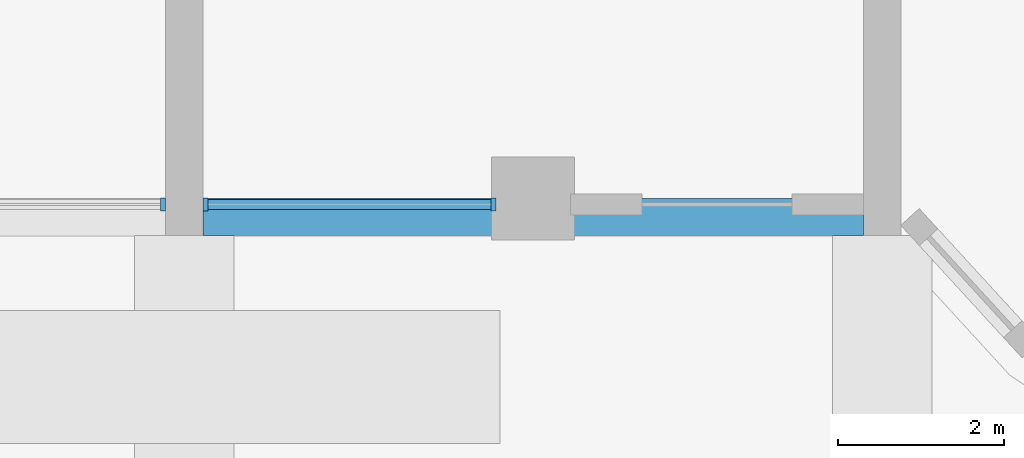
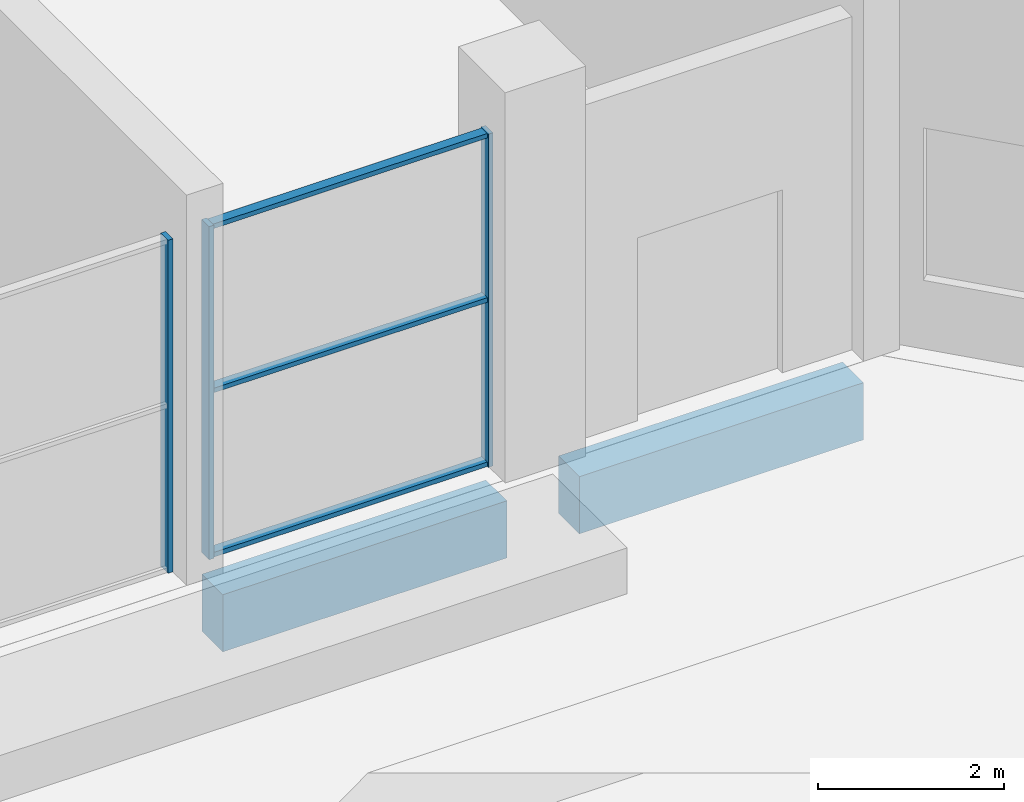
# One storey, part 4 of 20: 6 members, 2 beams, 2 elements without a shape of their own.
"""IFC4 building model written with IfcOpenShell, lengths in metres."""

from ifc_helpers import new_model, si_unit, direction, frame, origin, origin_2d, place, context, subcontext, project, spatial, rectangle, extrude, source, transform, mapped, material, layer, layer_set, material_profile, profile_set, type_object, element, aggregate, save


model = new_model("IFC4")

# Units and contexts
model_context = context("Model", 3, precision=1e-05, world=origin(), true_north=direction((0.0, 1.0)))
body_context = subcontext(model_context, "Body", "Model", "MODEL_VIEW")
ifc_project = project(units=[si_unit("LENGTHUNIT", "METRE"), si_unit("AREAUNIT", "SQUARE_METRE"), si_unit("VOLUMEUNIT", "CUBIC_METRE"), si_unit("PLANEANGLEUNIT", "RADIAN"), si_unit("MASSUNIT", "GRAM", prefix="KILO")], contexts=[model_context])

# Site, building, storey
site_placement = place(None, origin())
site = spatial("IfcSite", under=ifc_project, at=site_placement, CompositionType="ELEMENT")
building_placement = place(site_placement, origin())
building = spatial("IfcBuilding", under=site, at=building_placement, Name="Vanashikhar Sky Hotel", CompositionType="ELEMENT")
storey_placement = place(building_placement, frame((0.0, 0.0, 6.0)))
storey = spatial("IfcBuildingStorey", under=building, at=storey_placement, Name="L01", CompositionType="ELEMENT", Elevation=6.0)

# Beams
ifc_material_1 = material(Name="Concrete M50", Category="concrete")
ifc_material_profile_1 = material_profile(ifc_material_1, rectangle(XDim=0.449951171875, YDim=0.75, at=origin_2d()))
ifc_profile_set_1 = profile_set([ifc_material_profile_1], Name="RC 450x750 beam Concrete M50")
beam_type = type_object("IfcBeamType", Name="RC 450x750 beam Concrete M50", PredefinedType="SPANDREL", material=ifc_profile_set_1)
shared_shape_1 = source(origin(), body_context, "Body", "SweptSolid", [
    extrude(rectangle(XDim=0.449951171875, YDim=0.75, at=origin_2d()), origin(), (0.0, 0.0, 1.0), 3.52490234375),
])
for number, where, z_axis, x_axis, name in (
    (1, (25.425048828125, 0.22509765625, -0.655029296875), (1.0, 0.0, 0.0), (0.0, 1.0, 0.0), "EB-L01-F05"),
    (2, (29.85009765625, 0.22509765625, -0.655029296875), (1.0, 0.0, 0.0), (0.0, 1.0, 0.0), "EB-L01-F06"),
):
    element("IfcBeam", number, at=place(storey_placement, frame(where, z_axis=z_axis, x_axis=x_axis)), inside=storey, type_object=beam_type, Name=name, PredefinedType="SPANDREL", context=body_context, shape_type="MappedRepresentation", body=[
        mapped(shared_shape_1, transform((0.0, 0.0, 0.0), scale=1.0)),
    ])

# Curtain wall, member
ifc_material_2 = material(Name="Glass", Category="glass")
ifc_layer = layer(ifc_material_2, 0.159912109375)
ifc_layer_set = layer_set([ifc_layer], Name="Garden lounge curtain wall")
curtain_wall_type = type_object("IfcCurtainWallType", Name="Garden lounge curtain wall", PredefinedType="NOTDEFINED", material=ifc_layer_set)
curtain_wall_1_placement = place(storey_placement, origin())
curtain_wall_1 = element("IfcCurtainWall", 3, at=curtain_wall_1_placement, inside=storey, type_object=curtain_wall_type, Name="Garden lounge curtain wall", PredefinedType="NOTDEFINED")
ifc_material_3 = material(Name="Aluminium 6063-T6", Category="aluminium")
ifc_material_profile_2 = material_profile(ifc_material_3, rectangle(XDim=0.159912109375, YDim=0.06005859375, at=origin_2d()))
ifc_profile_set_2 = profile_set([ifc_material_profile_2], Name="Aluminium 6063-T6")
member_type_1 = type_object("IfcMemberType", Name="Podium curtain wall mullion 60 x 160", PredefinedType="MULLION", material=ifc_profile_set_2)
shared_shape_2 = source(origin(), body_context, "Body", "SweptSolid", [
    extrude(rectangle(XDim=0.159912109375, YDim=0.06005859375, at=origin_2d()), origin(), (0.0, 0.0, 1.0), 4.3701171875),
])
member_1_placement = place(storey_placement, frame((24.945068359375, 0.375, 0.0), z_axis=(0.0, 0.0, 1.0), x_axis=(0.0, 1.0, 0.0)))
member_1 = element("IfcMember", 4, at=member_1_placement, type_object=member_type_1, Name="CW-2.107 mullion 2", PredefinedType="MULLION", context=body_context, shape_type="MappedRepresentation", body=[
    mapped(shared_shape_2, transform((0.0, 0.0, 0.0), scale=1.0)),
])
aggregate(curtain_wall_1, [member_1])

# Curtain wall, members
curtain_wall_2_placement = place(storey_placement, origin())
curtain_wall_2 = element("IfcCurtainWall", 5, at=curtain_wall_2_placement, inside=storey, type_object=curtain_wall_type, Name="Garden lounge curtain wall", PredefinedType="NOTDEFINED")
member_2_placement = place(storey_placement, frame((25.455078125, 0.375, 0.0), z_axis=(0.0, 0.0, 1.0), x_axis=(0.0, 1.0, 0.0)))
member_2 = element("IfcMember", 6, at=member_2_placement, type_object=member_type_1, Name="CW-2.108 mullion 1", PredefinedType="MULLION", context=body_context, shape_type="MappedRepresentation", body=[
    mapped(shared_shape_2, transform((0.0, 0.0, 0.0), scale=1.0)),
])
member_3_placement = place(storey_placement, frame((28.919921875, 0.375, 0.0), z_axis=(0.0, 0.0, 1.0), x_axis=(0.0, 1.0, 0.0)))
member_3 = element("IfcMember", 7, at=member_3_placement, type_object=member_type_1, Name="CW-2.108 mullion 2", PredefinedType="MULLION", context=body_context, shape_type="MappedRepresentation", body=[
    mapped(shared_shape_2, transform((0.0, 0.0, 0.0), scale=1.0)),
])
ifc_material_profile_3 = material_profile(ifc_material_3, rectangle(XDim=0.1201171875, YDim=0.06005859375, at=origin_2d()))
ifc_profile_set_3 = profile_set([ifc_material_profile_3], Name="Aluminium 6063-T6")
member_type_2 = type_object("IfcMemberType", Name="Podium curtain wall transom 60 x 120", PredefinedType="USERDEFINED", material=ifc_profile_set_3)
shared_shape_3 = source(origin(), body_context, "Body", "SweptSolid", [
    extrude(rectangle(XDim=0.1201171875, YDim=0.06005859375, at=origin_2d()), origin(), (0.0, 0.0, 1.0), 3.40478515625),
])
member_4_placement = place(storey_placement, frame((25.485107421875, 0.375, 0.030029296875), z_axis=(1.0, 0.0, 0.0), x_axis=(0.0, 1.0, 0.0)))
member_4 = element("IfcMember", 8, at=member_4_placement, type_object=member_type_2, Name="CW-2.108 transom 1.1", ObjectType="TRANSOM", PredefinedType="USERDEFINED", context=body_context, shape_type="MappedRepresentation", body=[
    mapped(shared_shape_3, transform((0.0, 0.0, 0.0), scale=1.0)),
])
member_5_placement = place(storey_placement, frame((25.485107421875, 0.375, 2.18505859375), z_axis=(1.0, 0.0, 0.0), x_axis=(0.0, 1.0, 0.0)))
member_5 = element("IfcMember", 9, at=member_5_placement, type_object=member_type_2, Name="CW-2.108 transom 1.2", ObjectType="TRANSOM", PredefinedType="USERDEFINED", context=body_context, shape_type="MappedRepresentation", body=[
    mapped(shared_shape_3, transform((0.0, 0.0, 0.0), scale=1.0)),
])
member_6_placement = place(storey_placement, frame((25.485107421875, 0.375, 4.340087890625), z_axis=(1.0, 0.0, 0.0), x_axis=(0.0, 1.0, 0.0)))
member_6 = element("IfcMember", 10, at=member_6_placement, type_object=member_type_2, Name="CW-2.108 transom 1.3", ObjectType="TRANSOM", PredefinedType="USERDEFINED", context=body_context, shape_type="MappedRepresentation", body=[
    mapped(shared_shape_3, transform((0.0, 0.0, 0.0), scale=1.0)),
])
aggregate(curtain_wall_2, [member_2, member_3, member_4, member_5, member_6])

save(model, "model.ifc")
